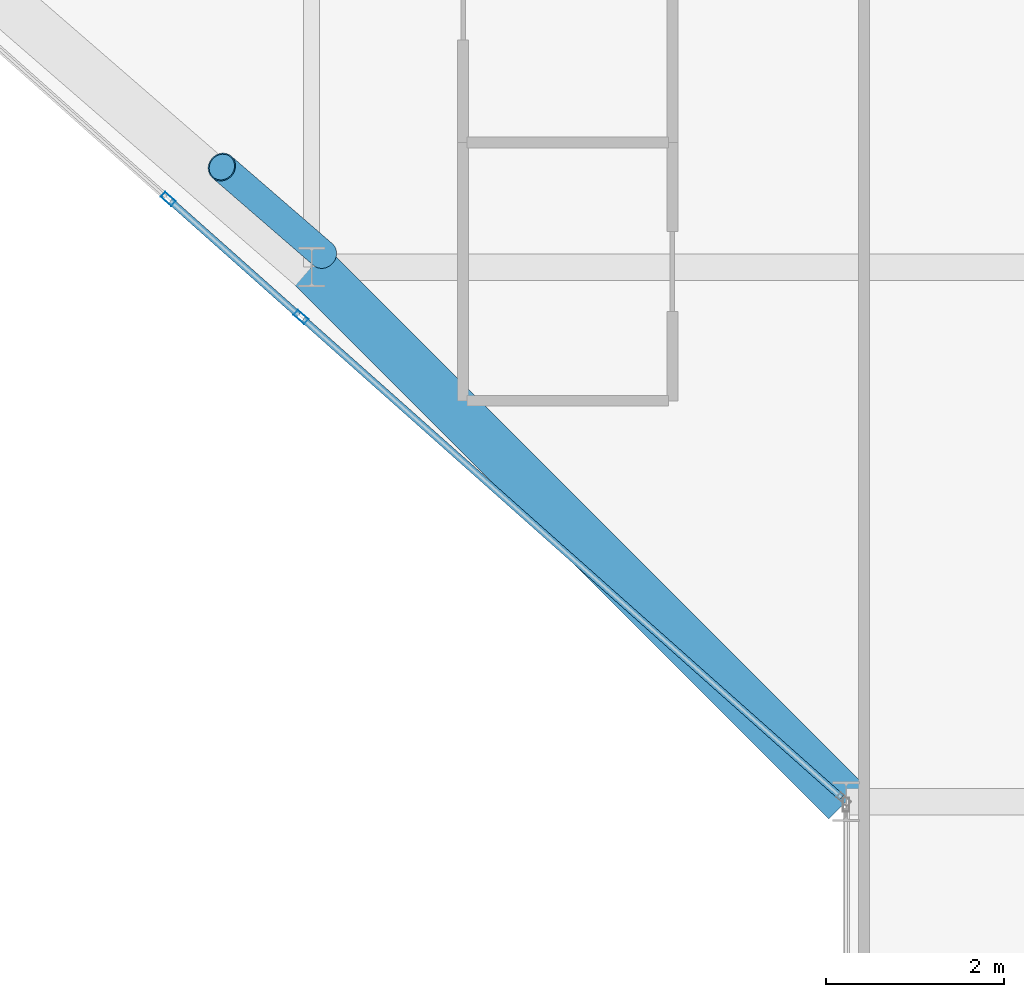
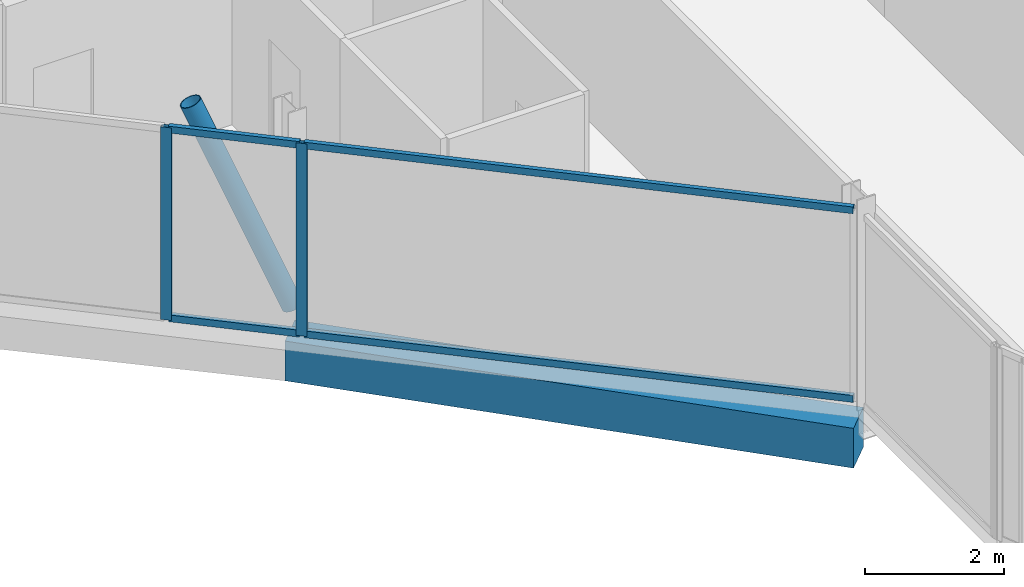
# One storey, part 4 of 29: 7 members, 1 beam, 2 elements without a shape of their own.
"""IFC4 building model written with IfcOpenShell, lengths in metres."""

import ifcopenshell
import ifcopenshell.guid

model = None  # the IFC model being written
_history = None  # IfcOwnerHistory: only IFC2X3 demands one
_inside = {}  # id of a spatial element -> (the spatial element, [elements in it])
_under = {}  # id of a project, library or spatial element -> (it, [spatial elements below it])
_declared = {}  # id of a project -> (the project, [libraries it declares])
_typed = {}  # id of a type object -> (the type object, [elements of that type])
_made_of = {}  # id of a material, layer set ... -> (it, [elements and type objects made of it])


def new_model(schema):
    """Start an empty IFC model of exactly this schema.

    Asked for "IFC4X3", IfcOpenShell would pick the latest addendum, in which some entities
    have other attributes; the version numbers below select the first issue.
    IFC2X3 requires an IfcOwnerHistory on every rooted entity: one is made here for all.
    """
    global model, _history
    if schema == "IFC4X3":
        model = ifcopenshell.file(schema_version=(4, 3, 0, 0))
    else:
        model = ifcopenshell.file(schema=schema)
    _inside.clear()
    _under.clear()
    _declared.clear()
    _typed.clear()
    _made_of.clear()
    _history = None
    if model.schema == "IFC2X3":
        org = make("IfcOrganization", Name="unknown")
        user = make(
            "IfcPersonAndOrganization",
            ThePerson=make("IfcPerson", FamilyName="unknown"),
            TheOrganization=org,
        )
        app = make(
            "IfcApplication",
            ApplicationDeveloper=org,
            Version="unknown",
            ApplicationFullName="unknown",
            ApplicationIdentifier="unknown",
        )
        _history = make(
            "IfcOwnerHistory",
            OwningUser=user,
            OwningApplication=app,
            ChangeAction="ADDED",
            CreationDate=0,
        )
    return model


def make(cls, **values):
    """One entity of the class cls with the attributes given. An attribute that is None is left unset."""
    return model.create_entity(
        cls, **{name: value for name, value in values.items() if value is not None}
    )


def rooted(cls, **values):
    """An entity with a GlobalId (a new one), such as an element, a storey or a relation."""
    return make(cls, GlobalId=ifcopenshell.guid.new(), OwnerHistory=_history, **values)


def si_unit(unit_type, name, prefix=None):
    """IfcSIUnit, for example si_unit("LENGTHUNIT", "METRE", prefix="MILLI")."""
    return make("IfcSIUnit", UnitType=unit_type, Prefix=prefix, Name=name)


def assignment(units):
    """IfcUnitAssignment: the units of a project."""
    return None if units is None else make("IfcUnitAssignment", Units=units)


def point(xyz):
    """IfcCartesianPoint."""
    return None if xyz is None else make("IfcCartesianPoint", Coordinates=xyz)


def direction(xyz):
    """IfcDirection."""
    return None if xyz is None else make("IfcDirection", DirectionRatios=xyz)


def frame(location, z_axis=None, x_axis=None):
    """IfcAxis2Placement3D, a coordinate frame: its origin and axes. An axis left out is left unset."""
    return make(
        "IfcAxis2Placement3D",
        Location=point(location),
        Axis=direction(z_axis),
        RefDirection=direction(x_axis),
    )


def frame_2d(location, x_axis=None):
    """IfcAxis2Placement2D, a coordinate frame in the plane: its origin and x axis."""
    return make(
        "IfcAxis2Placement2D", Location=point(location), RefDirection=direction(x_axis)
    )


def origin():
    """The frame at (0, 0, 0) with its axes left unset."""
    return frame((0.0, 0.0, 0.0))


def origin_2d():
    """The frame at (0, 0) in the plane with its x axis left unset."""
    return frame_2d((0.0, 0.0))


def place(relative_to, where):
    """IfcLocalPlacement: puts the frame where relative to a parent placement (None: the world)."""
    return make(
        "IfcLocalPlacement", PlacementRelTo=relative_to, RelativePlacement=where
    )


def context(
    kind, dimensions, precision=None, world=None, true_north=None, identifier=None
):
    """IfcGeometricRepresentationContext, for example the 3D "Model" context."""
    return make(
        "IfcGeometricRepresentationContext",
        ContextIdentifier=identifier,
        ContextType=kind,
        CoordinateSpaceDimension=dimensions,
        Precision=precision,
        WorldCoordinateSystem=world,
        TrueNorth=true_north,
    )


def subcontext(parent, identifier, kind, view, scale=None):
    """IfcGeometricRepresentationSubContext, for example "Body" below "Model"."""
    return make(
        "IfcGeometricRepresentationSubContext",
        ContextIdentifier=identifier,
        ContextType=kind,
        ParentContext=parent,
        TargetScale=scale,
        TargetView=view,
    )


def project(units=None, contexts=None):
    """IfcProject with its units and contexts."""
    return rooted(
        "IfcProject",
        Name="project",
        RepresentationContexts=contexts,
        UnitsInContext=assignment(units),
    )


def spatial(cls, under=None, at=None, **own):
    """A site, building, storey or space (cls), placed at a placement, below another one or the project."""
    s = rooted(cls, ObjectPlacement=at, **own)
    if under is not None:
        _under.setdefault(under.id(), (under, []))[1].append(s)
    return s


def profile(cls, at=None, kind="AREA", **sizes):
    """A parametric profile (cls). Its sizes go by their IFC names, for example OverallWidth=200.0."""
    return make(cls, ProfileType=kind, Position=at, **sizes)


def rectangle(**sizes):
    """IfcRectangleProfileDef."""
    return profile("IfcRectangleProfileDef", **sizes)


def hollow_rectangle(**sizes):
    """IfcRectangleHollowProfileDef."""
    return profile("IfcRectangleHollowProfileDef", **sizes)


def hollow_circle(**sizes):
    """IfcCircleHollowProfileDef."""
    return profile("IfcCircleHollowProfileDef", **sizes)


def extrude(swept, where, along, depth):
    """IfcExtrudedAreaSolid: the profile swept, set in the frame where, extruded along a direction by depth."""
    return make(
        "IfcExtrudedAreaSolid",
        SweptArea=swept,
        Position=where,
        ExtrudedDirection=direction(along),
        Depth=depth,
    )


def shape(context_of_items, identifier, shape_type, items):
    """IfcShapeRepresentation: the items that make up one representation, for example the "Body"."""
    return make(
        "IfcShapeRepresentation",
        ContextOfItems=context_of_items,
        RepresentationIdentifier=identifier,
        RepresentationType=shape_type,
        Items=items,
    )


def material(Name=None, Category=None):
    """IfcMaterial."""
    return make("IfcMaterial", Name=Name, Category=Category)


def layer(
    of_material, thickness, ventilated=None, Name=None, Category=None, Priority=None
):
    """IfcMaterialLayer: one layer of a wall or slab, of a material (None: an air gap)."""
    return make(
        "IfcMaterialLayer",
        Material=of_material,
        LayerThickness=thickness,
        IsVentilated=ventilated,
        Name=Name,
        Category=Category,
        Priority=Priority,
    )


def layer_set(layers, Name=None):
    """IfcMaterialLayerSet."""
    return make("IfcMaterialLayerSet", MaterialLayers=layers, LayerSetName=Name)


def material_profile(
    of_material, cross_section, Name=None, Category=None, Priority=None
):
    """IfcMaterialProfile: a cross section and its material."""
    return make(
        "IfcMaterialProfile",
        Name=Name,
        Material=of_material,
        Profile=cross_section,
        Priority=Priority,
        Category=Category,
    )


def profile_set(profiles, Name=None, composite=None):
    """IfcMaterialProfileSet."""
    return make(
        "IfcMaterialProfileSet",
        Name=Name,
        MaterialProfiles=profiles,
        CompositeProfile=composite,
    )


def made_of(thing, what):
    """Note that an element or type object is made of a material, layer set ...; save() writes the relation."""
    if what is not None:
        _made_of.setdefault(what.id(), (what, []))[1].append(thing)
    return thing


def type_object(cls, material=None, **own):
    """A type object (cls), such as IfcWallType, which elements share."""
    return made_of(rooted(cls, **own), material)


def element(
    cls,
    number,
    at=None,
    inside=None,
    cuts=None,
    type_object=None,
    material=None,
    context=None,
    identifier="Body",
    shape_type=None,
    held_by="IfcProductDefinitionShape",
    body=None,
    shapes=None,
    **own,
):
    """One element of the class cls, such as IfcWall. Its Tag is "e" and its number.

    at: its placement. inside: the storey or other place that contains it. cuts: it is an
    opening in that element (IfcRelVoidsElement). A single representation is given by context,
    identifier, shape_type and body (its items); several are given by shapes. held_by: the class
    of the entity that holds the representations. save() writes the other relations.
    """
    e = rooted(cls, Tag="e%d" % number, ObjectPlacement=at, **own)
    if body is not None:
        shapes = [shape(context, identifier, shape_type, body)]
    if shapes is not None:
        e.Representation = make(held_by, Representations=shapes)
    if inside is not None:
        _inside.setdefault(inside.id(), (inside, []))[1].append(e)
    if cuts is not None:
        rooted(
            "IfcRelVoidsElement", RelatingBuildingElement=cuts, RelatedOpeningElement=e
        )
    if type_object is not None:
        _typed.setdefault(type_object.id(), (type_object, []))[1].append(e)
    return made_of(e, material)


def aggregate(whole, parts):
    """IfcRelAggregates: a whole, such as a stair, and the parts it consists of."""
    return rooted("IfcRelAggregates", RelatingObject=whole, RelatedObjects=parts)


def save(model, path):
    """Write the relations noted so far, then the file.

    IfcRelAggregates (storeys below a building ...), IfcRelContainedInSpatialStructure (elements
    in a storey), IfcRelDefinesByType, IfcRelAssociatesMaterial and IfcRelDeclares: one each for
    every whole, place, type object, material and project.
    """
    for whole, parts in _under.values():
        aggregate(whole, parts)
    for where, things in _inside.values():
        rooted(
            "IfcRelContainedInSpatialStructure",
            RelatedElements=things,
            RelatingStructure=where,
        )
    for kind, things in _typed.values():
        rooted("IfcRelDefinesByType", RelatedObjects=things, RelatingType=kind)
    for what, things in _made_of.values():
        rooted("IfcRelAssociatesMaterial", RelatedObjects=things, RelatingMaterial=what)
    for by, libraries in _declared.values():
        rooted("IfcRelDeclares", RelatingContext=by, RelatedDefinitions=libraries)
    model.write(path)


model = new_model("IFC4")

# Units and contexts
model_context = context("Model", 3, precision=1e-05, world=origin(), true_north=direction((0.0, 1.0)))
body_context = subcontext(model_context, "Body", "Model", "MODEL_VIEW")
ifc_project = project(units=[si_unit("LENGTHUNIT", "METRE"), si_unit("AREAUNIT", "SQUARE_METRE"), si_unit("VOLUMEUNIT", "CUBIC_METRE"), si_unit("PLANEANGLEUNIT", "RADIAN"), si_unit("MASSUNIT", "GRAM", prefix="KILO")], contexts=[model_context])

# Site, building, storey
site_placement = place(None, origin())
site = spatial("IfcSite", under=ifc_project, at=site_placement, CompositionType="ELEMENT")
building_placement = place(site_placement, origin())
building = spatial("IfcBuilding", under=site, at=building_placement, Name="Keshet Zoharim Tower", CompositionType="ELEMENT")
storey_placement = place(building_placement, frame((0.0, 0.0, 192.10009765625)))
storey = spatial("IfcBuildingStorey", under=building, at=storey_placement, Name="L47", CompositionType="ELEMENT", Elevation=192.10009765625)

# Beam
ifc_material_1 = material(Name="Concrete C50/60", Category="concrete")
ifc_material_profile_1 = material_profile(ifc_material_1, rectangle(XDim=0.550048828125, YDim=0.699951171875, at=origin_2d()), Name="RC700x550")
ifc_profile_set_1 = profile_set([ifc_material_profile_1], Name="Concrete C50/60")
beam_type = type_object("IfcBeamType", Name="BM-SPN-700", PredefinedType="SPANDREL", material=ifc_profile_set_1)
beam_placement = place(storey_placement, frame((21.0, 6.699951171875, -0.66015625), z_axis=(-0.707106781187, 0.707106781187, 0.0), x_axis=(-0.707106781187, -0.707106781187, 0.0)))
element("IfcBeam", 1, at=beam_placement, inside=storey, type_object=beam_type, Name="L47 Perimeter Spandrel Beam 01", PredefinedType="SPANDREL", context=body_context, shape_type="SweptSolid", body=[
    extrude(rectangle(XDim=0.550048828125, YDim=0.699951171875, at=origin_2d()), origin(), (0.0, 0.0, 1.0), 8.4853515625),
])

# Curtain wall, member
ifc_material_2 = material(Name="Aluminium 6063-T6", Category="aluminium")
ifc_layer = layer(ifc_material_2, 0.139892578125)
ifc_layer_set = layer_set([ifc_layer], Name="Aluminium 6063-T6")
curtain_wall_type = type_object("IfcCurtainWallType", Name="CW-SYS-05", PredefinedType="NOTDEFINED", material=ifc_layer_set)
curtain_wall_1_placement = place(storey_placement, origin())
curtain_wall_1 = element("IfcCurtainWall", 2, at=curtain_wall_1_placement, inside=storey, type_object=curtain_wall_type, Name="L47 Unitised Curtain Wall 10", PredefinedType="NOTDEFINED")
ifc_material_profile_2 = material_profile(ifc_material_2, hollow_rectangle(XDim=0.074951171875, YDim=0.159912109375, WallThickness=0.00390625, at=origin_2d()), Name="MUL-75x160")
ifc_profile_set_2 = profile_set([ifc_material_profile_2], Name="Aluminium 6063-T6")
member_type_1 = type_object("IfcMemberType", Name="CWM-M15", PredefinedType="MULLION", material=ifc_profile_set_2)
member_1_placement = place(storey_placement, frame((14.88037109375, 12.1396484375, 0.0), z_axis=(0.0, 0.0, 1.0), x_axis=(-0.664367613066, -0.74740596379, 0.0)))
member_1 = element("IfcMember", 3, at=member_1_placement, type_object=member_type_1, Name="CW-05 mullion 2", PredefinedType="MULLION", context=body_context, shape_type="SweptSolid", body=[
    extrude(hollow_rectangle(XDim=0.074951171875, YDim=0.159912109375, WallThickness=0.00390625, at=origin_2d()), origin(), (0.0, 0.0, 1.0), 3.389892578125),
])

curtain_wall_2_placement = place(storey_placement, origin())
curtain_wall_2 = element("IfcCurtainWall", 4, at=curtain_wall_2_placement, inside=storey, type_object=curtain_wall_type, Name="L47 Unitised Curtain Wall 10 Part 2", PredefinedType="NOTDEFINED")
member_2_placement = place(storey_placement, frame((13.388427734375, 13.4658203125, 0.0), z_axis=(0.0, 0.0, 1.0), x_axis=(-0.664329634314, -0.747439721297, 0.0)))
member_2 = element("IfcMember", 5, at=member_2_placement, type_object=member_type_1, Name="CW-05 mullion 2", PredefinedType="MULLION", context=body_context, shape_type="SweptSolid", body=[
    extrude(hollow_rectangle(XDim=0.074951171875, YDim=0.159912109375, WallThickness=0.00390625, at=origin_2d()), origin(), (0.0, 0.0, 1.0), 3.389892578125),
])

# Member
ifc_material_profile_3 = material_profile(ifc_material_2, hollow_rectangle(XDim=0.074951171875, YDim=0.1201171875, WallThickness=0.00390625, at=origin_2d()), Name="TRN-75x120")
ifc_profile_set_3 = profile_set([ifc_material_profile_3], Name="Aluminium 6063-T6")
member_type_2 = type_object("IfcMemberType", Name="CWT-T12", PredefinedType="USERDEFINED", material=ifc_profile_set_3)
member_3_placement = place(storey_placement, frame((20.94775390625, 6.74658203125, 0.034912109375), z_axis=(-0.747404319135, 0.664369463279, 0.0), x_axis=(-0.664369463279, -0.747404319135, 0.0)))
member_3 = element("IfcMember", 6, at=member_3_placement, type_object=member_type_2, Name="CW-05 transom 1.1", ObjectType="TRANSOM", PredefinedType="USERDEFINED", context=body_context, shape_type="SweptSolid", body=[
    extrude(hollow_rectangle(XDim=0.074951171875, YDim=0.1201171875, WallThickness=0.00390625, at=origin_2d()), origin(), (0.0, 0.0, 1.0), 8.082763671875),
])

member_4_placement = place(storey_placement, frame((20.94775390625, 6.74658203125, 3.35498046875), z_axis=(-0.747404319135, 0.664369463279, 0.0), x_axis=(-0.664369463279, -0.747404319135, 0.0)))
member_4 = element("IfcMember", 7, at=member_4_placement, type_object=member_type_2, Name="CW-05 transom 1.2", ObjectType="TRANSOM", PredefinedType="USERDEFINED", context=body_context, shape_type="SweptSolid", body=[
    extrude(hollow_rectangle(XDim=0.074951171875, YDim=0.1201171875, WallThickness=0.00390625, at=origin_2d()), origin(), (0.0, 0.0, 1.0), 8.082763671875),
])

aggregate(curtain_wall_1, [member_1, member_3, member_4])

member_5_placement = place(storey_placement, frame((14.854248046875, 12.162841796875, 0.034912109375), z_axis=(-0.747458269264, 0.664308765341, 0.0), x_axis=(-0.664308765341, -0.747458269264, 0.0)))
member_5 = element("IfcMember", 8, at=member_5_placement, type_object=member_type_2, Name="CW-05 transom 1.1", ObjectType="TRANSOM", PredefinedType="USERDEFINED", context=body_context, shape_type="SweptSolid", body=[
    extrude(hollow_rectangle(XDim=0.074951171875, YDim=0.1201171875, WallThickness=0.00390625, at=origin_2d()), origin(), (0.0, 0.0, 1.0), 1.926025390625),
])

member_6_placement = place(storey_placement, frame((14.854248046875, 12.162841796875, 3.35498046875), z_axis=(-0.747458269264, 0.664308765341, 0.0), x_axis=(-0.664308765341, -0.747458269264, 0.0)))
member_6 = element("IfcMember", 9, at=member_6_placement, type_object=member_type_2, Name="CW-05 transom 1.2", ObjectType="TRANSOM", PredefinedType="USERDEFINED", context=body_context, shape_type="SweptSolid", body=[
    extrude(hollow_rectangle(XDim=0.074951171875, YDim=0.1201171875, WallThickness=0.00390625, at=origin_2d()), origin(), (0.0, 0.0, 1.0), 1.926025390625),
])

aggregate(curtain_wall_2, [member_2, member_5, member_6])

ifc_material_3 = material(Name="Steel S355", Category="steel")
ifc_material_profile_4 = material_profile(ifc_material_3, hollow_circle(Radius=0.161865234375, WallThickness=0.012451171875, at=origin_2d()), Name="CHS323x12.5")
ifc_profile_set_4 = profile_set([ifc_material_profile_4], Name="Steel S355")
member_type_3 = type_object("IfcMemberType", Name="MB-BR-C323", PredefinedType="BRACE", material=ifc_profile_set_4)
member_7_placement = place(storey_placement, frame((15.1259765625, 12.842041015625, 0.0), z_axis=(-0.305919508672, 0.264888754334, 0.914465528077), x_axis=(-0.654589683411, -0.755984355904, 0.0)))
element("IfcMember", 10, at=member_7_placement, inside=storey, type_object=member_type_3, Name="L47 Perimeter Tube Brace 01", PredefinedType="BRACE", context=body_context, shape_type="SweptSolid", body=[
    extrude(hollow_circle(Radius=0.161865234375, WallThickness=0.012451171875, at=origin_2d()), origin(), (0.0, 0.0, 1.0), 3.70703125),
])

save(model, "model.ifc")
